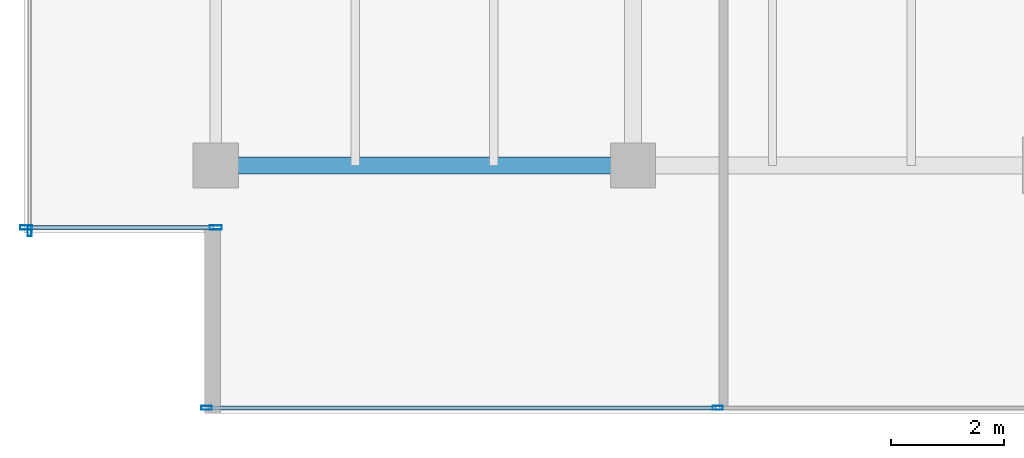
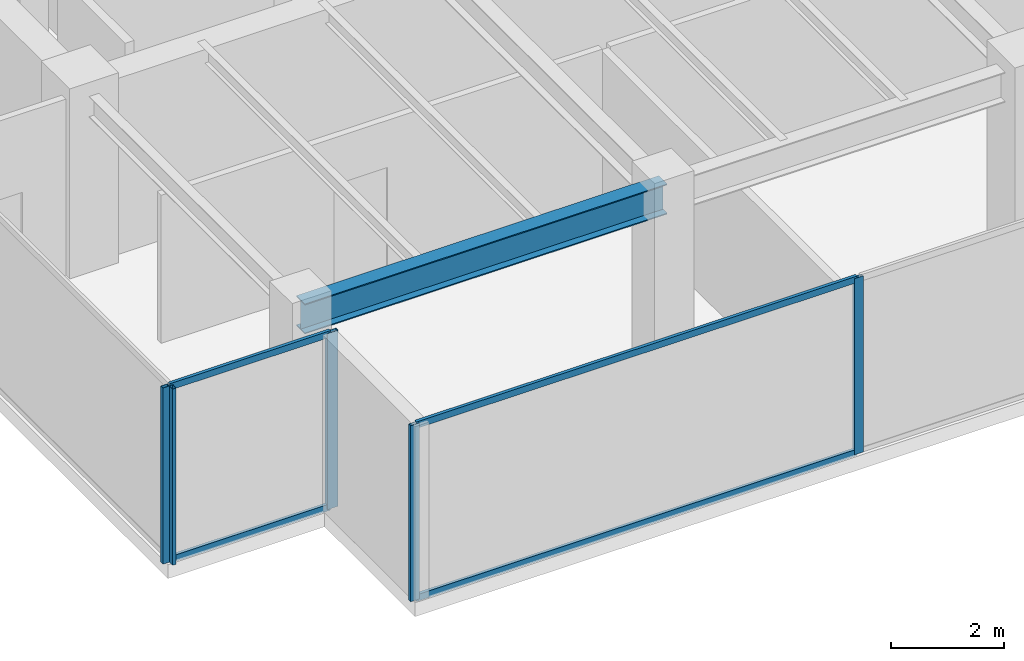
# One storey, part 5 of 33: 9 members, 1 beam, 3 elements without a shape of their own.
"""IFC4 building model written with IfcOpenShell, lengths in metres."""

from ifc_helpers import new_model, si_unit, direction, frame, origin, origin_2d, place, context, subcontext, project, spatial, hollow_rectangle, i_section, extrude, source, transform, mapped, material, layer, layer_set, material_profile, profile_set, type_object, type_shapes, element, aggregate, save


model = new_model("IFC4")

# Units and contexts
model_context = context("Model", 3, precision=1e-05, world=origin(), true_north=direction((0.0, 1.0)))
body_context = subcontext(model_context, "Body", "Model", "MODEL_VIEW")
ifc_project = project(units=[si_unit("LENGTHUNIT", "METRE"), si_unit("AREAUNIT", "SQUARE_METRE"), si_unit("VOLUMEUNIT", "CUBIC_METRE"), si_unit("PLANEANGLEUNIT", "RADIAN"), si_unit("MASSUNIT", "GRAM", prefix="KILO")], contexts=[model_context])

# Site, building, storey
site_placement = place(None, origin())
site = spatial("IfcSite", under=ifc_project, at=site_placement, CompositionType="ELEMENT")
building_placement = place(site_placement, origin())
building = spatial("IfcBuilding", under=site, at=building_placement, Name="Haelvirn Gate Laboratories", CompositionType="ELEMENT")
storey_placement = place(building_placement, frame((0.0, 0.0, 213.699951171875)))
storey = spatial("IfcBuildingStorey", under=building, at=storey_placement, Name="L51", CompositionType="ELEMENT", Elevation=213.699951171875)

# Beam
ifc_material_1 = material(Name="Steel SM355", Category="steel")
ifc_material_profile_1 = material_profile(ifc_material_1, i_section(OverallWidth=0.300048828125, OverallDepth=0.64990234375, WebThickness=0.012939453125, FlangeThickness=0.02197265625, at=origin_2d()), Name="H-650x300x13x22")
ifc_profile_set_1 = profile_set([ifc_material_profile_1], Name="Steel SM355")
beam_type = type_object("IfcBeamType", Name="BM-G-650", PredefinedType="BEAM", material=ifc_profile_set_1)
shared_shape_1 = source(origin(), body_context, "Body", "SweptSolid", [
    extrude(i_section(OverallWidth=0.300048828125, OverallDepth=0.64990234375, WebThickness=0.012939453125, FlangeThickness=0.02197265625, at=origin_2d()), origin(), (0.0, 0.0, 1.0), 7.400146484375),
])
type_shapes(beam_type, [shared_shape_1])
beam_placement = place(storey_placement, frame((7.39990234375, 7.0, 3.47509765625), z_axis=(1.0, 0.0, 0.0), x_axis=(0.0, 1.0, 0.0)))
element("IfcBeam", 1, at=beam_placement, inside=storey, type_object=beam_type, Name="L51 Primary Girder Y7.0 (7.4-14.8)", PredefinedType="BEAM", context=body_context, shape_type="MappedRepresentation", body=[
    mapped(shared_shape_1, transform((0.0, 0.0, 0.0), scale=1.0)),
])

# Curtain wall, members
ifc_material_2 = material(Name="Anodised bronze unitised aluminium & triple low-E glass", Category="aluminium")
ifc_layer_1 = layer(ifc_material_2, 0.181884765625, Name="CW-SYS-5")
ifc_layer_set_1 = layer_set([ifc_layer_1], Name="Anodised bronze unitised aluminium & triple low-E glass")
curtain_wall_type_1 = type_object("IfcCurtainWallType", Name="CW-SYS-5", PredefinedType="NOTDEFINED", material=ifc_layer_set_1)
curtain_wall_1_placement = place(storey_placement, origin())
curtain_wall_1 = element("IfcCurtainWall", 2, at=curtain_wall_1_placement, inside=storey, type_object=curtain_wall_type_1, Name="L51 Unitised Curtain Wall CW-L51-P0-E18-1", PredefinedType="NOTDEFINED")
ifc_material_3 = material(Name="Extruded aluminium 6063-T6 (anodised bronze)", Category="aluminium")
ifc_material_profile_2 = material_profile(ifc_material_3, hollow_rectangle(XDim=0.06494140625, YDim=0.139892578125, WallThickness=0.00390625, at=origin_2d()), Name="CWT-140x65x4")
ifc_profile_set_2 = profile_set([ifc_material_profile_2], Name="Extruded aluminium 6063-T6 (anodised bronze)")
member_type_1 = type_object("IfcMemberType", Name="CWT-T140", PredefinedType="USERDEFINED", material=ifc_profile_set_2)
shared_shape_2 = source(origin(), body_context, "Body", "SweptSolid", [
    extrude(hollow_rectangle(XDim=0.06494140625, YDim=0.139892578125, WallThickness=0.00390625, at=origin_2d()), origin(), (0.0, 0.0, 1.0), 3.280029296875),
])
member_1_placement = place(storey_placement, frame((4.080078125, 5.89990234375, 0.032470703125), z_axis=(1.0, 0.0, 0.0), x_axis=(0.0, 1.0, 0.0)))
member_1 = element("IfcMember", 3, at=member_1_placement, type_object=member_type_1, Name="CW5 transom 1.1", ObjectType="TRANSOM", PredefinedType="USERDEFINED", context=body_context, shape_type="MappedRepresentation", body=[
    mapped(shared_shape_2, transform((0.0, 0.0, 0.0), scale=1.0)),
])
member_2_placement = place(storey_placement, frame((4.080078125, 5.89990234375, 3.767578125), z_axis=(1.0, 0.0, 0.0), x_axis=(0.0, 1.0, 0.0)))
member_2 = element("IfcMember", 4, at=member_2_placement, type_object=member_type_1, Name="CW5 transom 1.2", ObjectType="TRANSOM", PredefinedType="USERDEFINED", context=body_context, shape_type="MappedRepresentation", body=[
    mapped(shared_shape_2, transform((0.0, 0.0, 0.0), scale=1.0)),
])

ifc_layer_2 = layer(ifc_material_2, 0.176025390625, Name="CW-SYS-4")
ifc_layer_set_2 = layer_set([ifc_layer_2], Name="Anodised bronze unitised aluminium & triple low-E glass")
curtain_wall_type_2 = type_object("IfcCurtainWallType", Name="CW-SYS-4", PredefinedType="NOTDEFINED", material=ifc_layer_set_2)
curtain_wall_2_placement = place(storey_placement, origin())
curtain_wall_2 = element("IfcCurtainWall", 5, at=curtain_wall_2_placement, inside=storey, type_object=curtain_wall_type_2, Name="L51 Unitised Curtain Wall CW-L51-P0-E00-1", PredefinedType="NOTDEFINED")
ifc_material_profile_3 = material_profile(ifc_material_3, hollow_rectangle(XDim=0.070068359375, YDim=0.179931640625, WallThickness=0.0048828125, at=origin_2d()), Name="CWM-180x70x5")
ifc_profile_set_3 = profile_set([ifc_material_profile_3], Name="Extruded aluminium 6063-T6 (anodised bronze)")
member_type_2 = type_object("IfcMemberType", Name="CWM-T180", PredefinedType="MULLION", material=ifc_profile_set_3)
shared_shape_3 = source(origin(), body_context, "Body", "SweptSolid", [
    extrude(hollow_rectangle(XDim=0.070068359375, YDim=0.179931640625, WallThickness=0.0048828125, at=origin_2d()), origin(), (0.0, 0.0, 1.0), 3.800048828125),
])
type_shapes(member_type_2, [shared_shape_3])
member_3_placement = place(storey_placement, frame((7.235107421875, 2.699951171875, 0.0), z_axis=(0.0, 0.0, 1.0), x_axis=(0.0, 1.0, 0.0)))
member_3 = element("IfcMember", 6, at=member_3_placement, type_object=member_type_2, Name="CW4 mullion 1", PredefinedType="MULLION", context=body_context, shape_type="MappedRepresentation", body=[
    mapped(shared_shape_3, transform((0.0, 0.0, 0.0), scale=1.0)),
])
member_4_placement = place(storey_placement, frame((16.300048828125, 2.699951171875, 0.0), z_axis=(0.0, 0.0, 1.0), x_axis=(0.0, 1.0, 0.0)))
member_4 = element("IfcMember", 7, at=member_4_placement, type_object=member_type_2, Name="CW4 mullion 2", PredefinedType="MULLION", context=body_context, shape_type="MappedRepresentation", body=[
    mapped(shared_shape_3, transform((0.0, 0.0, 0.0), scale=1.0)),
])

# Curtain wall, member
curtain_wall_3_placement = place(storey_placement, origin())
curtain_wall_3 = element("IfcCurtainWall", 8, at=curtain_wall_3_placement, inside=storey, type_object=curtain_wall_type_2, Name="L51 Unitised Curtain Wall CW-L51-P0-E17", PredefinedType="NOTDEFINED")
member_5_placement = place(storey_placement, frame((4.10009765625, 5.8349609375, 0.0), z_axis=(0.0, 0.0, 1.0), x_axis=(1.0, 0.0, 0.0)))
member_5 = element("IfcMember", 9, at=member_5_placement, type_object=member_type_2, Name="CW4 mullion 3", PredefinedType="MULLION", context=body_context, shape_type="MappedRepresentation", body=[
    mapped(shared_shape_3, transform((0.0, 0.0, 0.0), scale=1.0)),
])
aggregate(curtain_wall_3, [member_5])

# Member
shared_shape_4 = source(origin(), body_context, "Body", "SweptSolid", [
    extrude(hollow_rectangle(XDim=0.06494140625, YDim=0.139892578125, WallThickness=0.00390625, at=origin_2d()), origin(), (0.0, 0.0, 1.0), 8.994873046875),
])
type_shapes(member_type_1, [shared_shape_2, shared_shape_4])
member_6_placement = place(storey_placement, frame((7.27001953125, 2.699951171875, 0.032470703125), z_axis=(1.0, 0.0, 0.0), x_axis=(0.0, 1.0, 0.0)))
member_6 = element("IfcMember", 10, at=member_6_placement, type_object=member_type_1, Name="CW4 transom 1.1", ObjectType="TRANSOM", PredefinedType="USERDEFINED", context=body_context, shape_type="MappedRepresentation", body=[
    mapped(shared_shape_4, transform((0.0, 0.0, 0.0), scale=1.0)),
])

member_7_placement = place(storey_placement, frame((7.27001953125, 2.699951171875, 3.767578125), z_axis=(1.0, 0.0, 0.0), x_axis=(0.0, 1.0, 0.0)))
member_7 = element("IfcMember", 11, at=member_7_placement, type_object=member_type_1, Name="CW4 transom 1.2", ObjectType="TRANSOM", PredefinedType="USERDEFINED", context=body_context, shape_type="MappedRepresentation", body=[
    mapped(shared_shape_4, transform((0.0, 0.0, 0.0), scale=1.0)),
])

aggregate(curtain_wall_2, [member_3, member_4, member_6, member_7])

ifc_material_profile_4 = material_profile(ifc_material_3, hollow_rectangle(XDim=0.080078125, YDim=0.219970703125, WallThickness=0.006103515625, at=origin_2d()), Name="CWM-220x80x6")
ifc_profile_set_4 = profile_set([ifc_material_profile_4], Name="Extruded aluminium 6063-T6 (anodised bronze)")
member_type_3 = type_object("IfcMemberType", Name="CWM-T220", PredefinedType="MULLION", material=ifc_profile_set_4)
shared_shape_5 = source(origin(), body_context, "Body", "SweptSolid", [
    extrude(hollow_rectangle(XDim=0.080078125, YDim=0.219970703125, WallThickness=0.006103515625, at=origin_2d()), origin(), (0.0, 0.0, 1.0), 3.800048828125),
])
type_shapes(member_type_3, [shared_shape_5])
member_8_placement = place(storey_placement, frame((4.0400390625, 5.89990234375, 0.0), z_axis=(0.0, 0.0, 1.0), x_axis=(0.0, 1.0, 0.0)))
member_8 = element("IfcMember", 12, at=member_8_placement, type_object=member_type_3, Name="CW5 mullion 1", PredefinedType="MULLION", context=body_context, shape_type="MappedRepresentation", body=[
    mapped(shared_shape_5, transform((0.0, 0.0, 0.0), scale=1.0)),
])

member_9_placement = place(storey_placement, frame((7.39990234375, 5.89990234375, 0.0), z_axis=(0.0, 0.0, 1.0), x_axis=(0.0, 1.0, 0.0)))
member_9 = element("IfcMember", 13, at=member_9_placement, type_object=member_type_3, Name="CW5 mullion 2", PredefinedType="MULLION", context=body_context, shape_type="MappedRepresentation", body=[
    mapped(shared_shape_5, transform((0.0, 0.0, 0.0), scale=1.0)),
])

aggregate(curtain_wall_1, [member_8, member_9, member_1, member_2])

save(model, "model.ifc")
